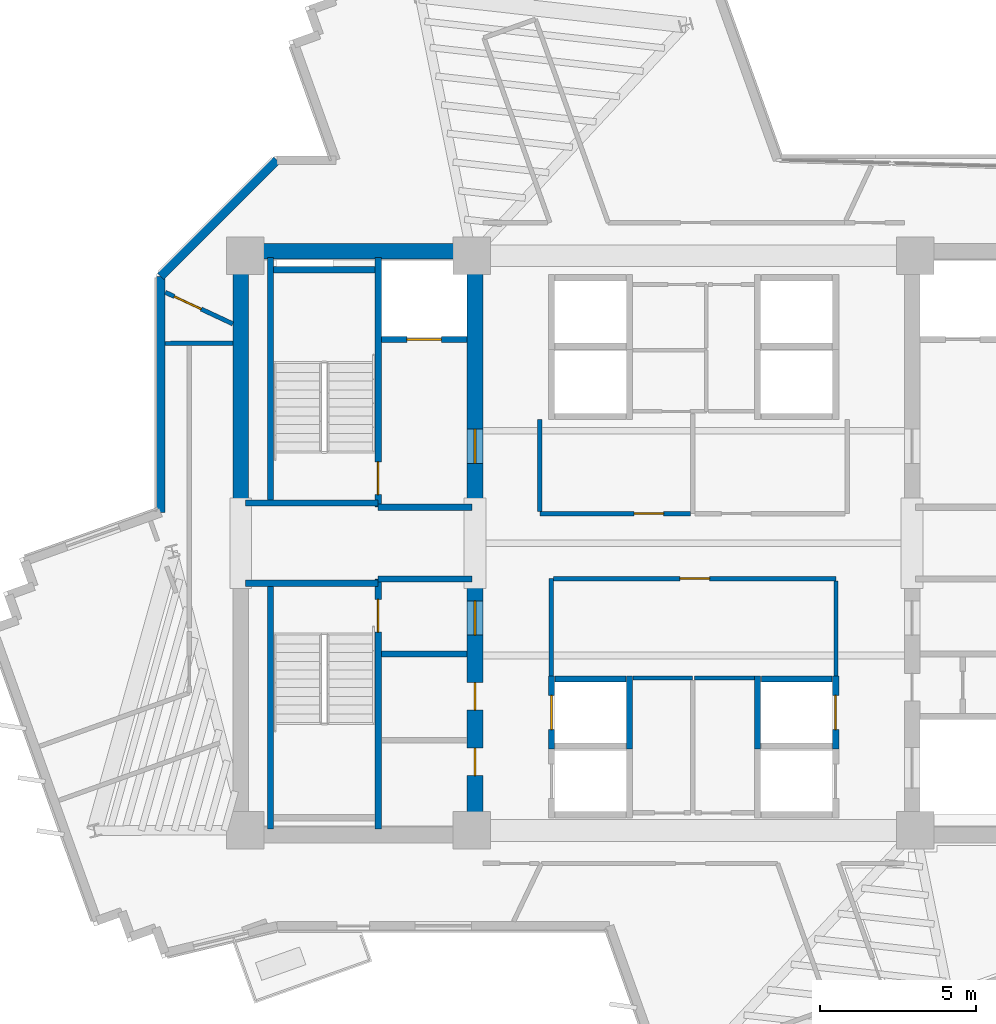
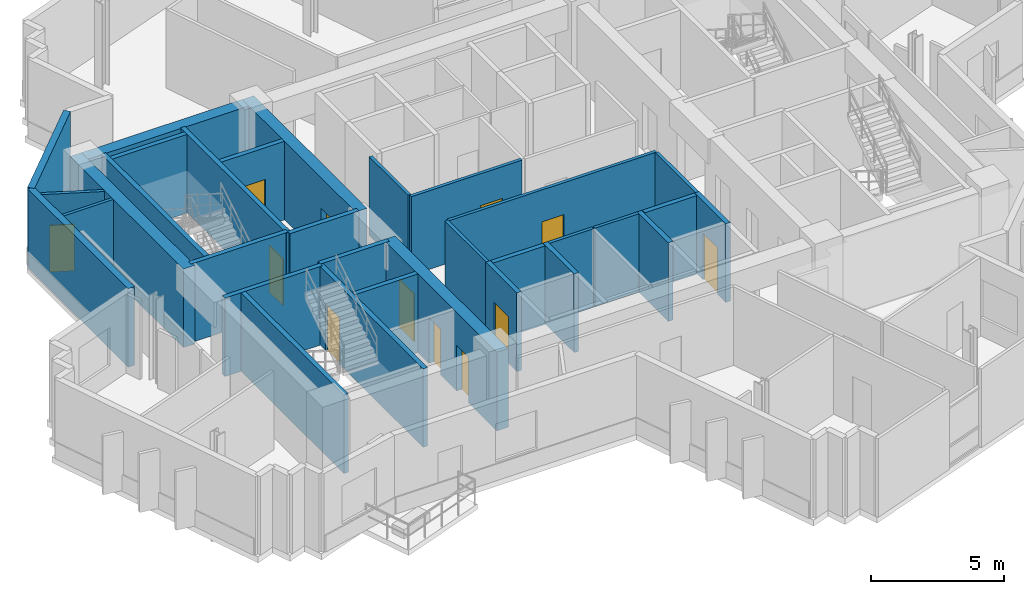
# One storey, part 7 of 13: 32 walls, 12 doors, 12 openings.
"""IFC4 building model written with IfcOpenShell, lengths in metres."""

from ifc_helpers import new_model, si_unit, direction, frame, frame_2d, origin, place, context, subcontext, project, spatial, rectangle, extrude, source, transform, mapped, material, layer, layer_set, type_object, element, fill, save


model = new_model("IFC4")

# Units and contexts
model_context = context("Model", 3, precision=1e-05, world=origin(), true_north=direction((0.0, 1.0)))
body_context = subcontext(model_context, "Body", "Model", "MODEL_VIEW")
ifc_project = project(units=[si_unit("LENGTHUNIT", "METRE"), si_unit("AREAUNIT", "SQUARE_METRE"), si_unit("VOLUMEUNIT", "CUBIC_METRE"), si_unit("PLANEANGLEUNIT", "RADIAN"), si_unit("MASSUNIT", "GRAM", prefix="KILO")], contexts=[model_context])

# Site, building, storey
site_placement = place(None, origin())
site = spatial("IfcSite", under=ifc_project, at=site_placement, CompositionType="ELEMENT")
building_placement = place(site_placement, origin())
building = spatial("IfcBuilding", under=site, at=building_placement, Name="Zahravan Cultural Tower", CompositionType="ELEMENT")
storey_placement = place(building_placement, frame((0.0, 0.0, 221.39990234375)))
storey = spatial("IfcBuildingStorey", under=building, at=storey_placement, Name="L52", CompositionType="ELEMENT", Elevation=221.39990234375)

# Wall, openings, doors
ifc_material_1 = material(Name="Concrete C60/75", Category="concrete")
ifc_layer_1 = layer(ifc_material_1, 0.5)
ifc_layer_set_1 = layer_set([ifc_layer_1], Name="Concrete C60/75")
wall_type_1 = type_object("IfcWallType", Name="CW-SHEAR-500-C60", PredefinedType="SHEAR", material=ifc_layer_set_1)
wall_1_placement = place(storey_placement, frame((29.0, 17.39990234375, 0.0), z_axis=(0.0, 0.0, 1.0), x_axis=(0.0, 1.0, 0.0)))
wall_1 = element("IfcWall", 1, at=wall_1_placement, inside=storey, type_object=wall_type_1, Name="L52 Core Shear Wall CW-W-ES-L52", PredefinedType="SHEAR", context=body_context, shape_type="SweptSolid", body=[
    extrude(rectangle(XDim=8.550048828125, YDim=0.5, at=frame_2d((4.27490234375, 0.0))), origin(), (0.0, 0.0, 1.0), 3.6201171875),
])
opening_1_placement = place(wall_1_placement, frame((6.64990234375, 0.0, 0.0)))
opening_1 = element("IfcOpeningElement", 2, at=opening_1_placement, cuts=wall_1, Name="Opening D-L52-07", PredefinedType="OPENING", context=body_context, shape_type="SweptSolid", body=[
    extrude(rectangle(XDim=1.10009765625, YDim=2.199951171875, at=frame_2d((0.550048828125, 1.10009765625))), frame((0.0, 0.260009765625, 0.0), z_axis=(0.0, -1.0, 0.0), x_axis=(1.0, 0.0, 0.0)), (0.0, 0.0, 1.0), 0.52001953125),
])
opening_2_placement = place(wall_1_placement, frame((2.14990234375, 0.0, 0.0)))
opening_2 = element("IfcOpeningElement", 3, at=opening_2_placement, cuts=wall_1, Name="Opening D-L52-09", PredefinedType="OPENING", context=body_context, shape_type="SweptSolid", body=[
    extrude(rectangle(XDim=0.8798828125, YDim=2.10009765625, at=frame_2d((0.43994140625, 1.050048828125))), frame((0.0, 0.260009765625, 0.0), z_axis=(0.0, -1.0, 0.0), x_axis=(1.0, 0.0, 0.0)), (0.0, 0.0, 1.0), 0.52001953125),
])
opening_3_placement = place(wall_1_placement, frame((4.25, 0.0, 0.0)))
opening_3 = element("IfcOpeningElement", 4, at=opening_3_placement, cuts=wall_1, Name="Opening D-L52-10", PredefinedType="OPENING", context=body_context, shape_type="SweptSolid", body=[
    extrude(rectangle(XDim=0.8798828125, YDim=2.10009765625, at=frame_2d((0.43994140625, 1.050048828125))), frame((0.0, 0.260009765625, 0.0), z_axis=(0.0, -1.0, 0.0), x_axis=(1.0, 0.0, 0.0)), (0.0, 0.0, 1.0), 0.52001953125),
])
ifc_material_2 = material(Name="Steel ASTM A572 Grade 50", Category="steel")
door_type_1 = type_object("IfcDoorType", Name="DR-LOBBY-1100", OperationType="NOTDEFINED", PredefinedType="DOOR", material=ifc_material_2)
shared_shape_1 = source(origin(), body_context, "Body", "SweptSolid", [
    extrude(rectangle(XDim=1.10009765625, YDim=2.199951171875, at=frame_2d((0.550048828125, 1.10009765625))), frame((0.0, 0.02490234375, 0.0), z_axis=(0.0, -1.0, 0.0), x_axis=(1.0, 0.0, 0.0)), (0.0, 0.0, 1.0), 0.050048828125),
])
door_1_placement = place(opening_1_placement, origin())
door_1 = element("IfcDoor", 5, at=door_1_placement, inside=storey, type_object=door_type_1, Name="L52 Door D-L52-07", OperationType="SINGLE_SWING_RIGHT", OverallHeight=2.199951171875, OverallWidth=1.10009765625, PredefinedType="DOOR", context=body_context, shape_type="MappedRepresentation", body=[
    mapped(shared_shape_1, transform((0.0, 0.0, 0.0), x_axis=(1.0, 0.0, 0.0), y_axis=(0.0, 1.0, 0.0), z_axis=(0.0, 0.0, 1.0), scale=1.0)),
])
fill(opening_1, door_1)
door_type_2 = type_object("IfcDoorType", Name="DR-SVC-880", OperationType="NOTDEFINED", PredefinedType="DOOR", material=ifc_material_2)
shared_shape_2 = source(origin(), body_context, "Body", "SweptSolid", [
    extrude(rectangle(XDim=0.8798828125, YDim=2.10009765625, at=frame_2d((0.43994140625, 1.050048828125))), frame((0.0, 0.02490234375, 0.0), z_axis=(0.0, -1.0, 0.0), x_axis=(1.0, 0.0, 0.0)), (0.0, 0.0, 1.0), 0.050048828125),
])
door_2_placement = place(opening_2_placement, origin())
door_2 = element("IfcDoor", 6, at=door_2_placement, inside=storey, type_object=door_type_2, Name="L52 Door D-L52-09", OperationType="SINGLE_SWING_RIGHT", OverallHeight=2.10009765625, OverallWidth=0.8798828125, PredefinedType="DOOR", context=body_context, shape_type="MappedRepresentation", body=[
    mapped(shared_shape_2, transform((0.0, 0.0, 0.0), x_axis=(1.0, 0.0, 0.0), y_axis=(0.0, 1.0, 0.0), z_axis=(0.0, 0.0, 1.0), scale=1.0)),
])
fill(opening_2, door_2)
door_3_placement = place(opening_3_placement, origin())
door_3 = element("IfcDoor", 7, at=door_3_placement, inside=storey, type_object=door_type_2, Name="L52 Door D-L52-10", OperationType="SINGLE_SWING_LEFT", OverallHeight=2.10009765625, OverallWidth=0.8798828125, PredefinedType="DOOR", context=body_context, shape_type="MappedRepresentation", body=[
    mapped(shared_shape_2, transform((0.0, 0.0, 0.0), x_axis=(1.0, 0.0, 0.0), y_axis=(0.0, 1.0, 0.0), z_axis=(0.0, 0.0, 1.0), scale=1.0)),
])
fill(opening_3, door_3)

# Wall, opening, door
wall_2_placement = place(storey_placement, frame((29.0, 28.050048828125, 0.0), z_axis=(0.0, 0.0, 1.0), x_axis=(0.0, 1.0, 0.0)))
wall_2 = element("IfcWall", 8, at=wall_2_placement, inside=storey, type_object=wall_type_1, Name="L52 Core Shear Wall CW-W-EN-L52", PredefinedType="SHEAR", context=body_context, shape_type="SweptSolid", body=[
    extrude(rectangle(XDim=8.550048828125, YDim=0.5, at=frame_2d((4.27490234375, 0.0))), origin(), (0.0, 0.0, 1.0), 3.6201171875),
])
opening_4_placement = place(wall_2_placement, frame((1.5, 0.0, 0.0)))
opening_4 = element("IfcOpeningElement", 9, at=opening_4_placement, cuts=wall_2, Name="Opening D-L52-05", PredefinedType="OPENING", context=body_context, shape_type="SweptSolid", body=[
    extrude(rectangle(XDim=1.10009765625, YDim=2.199951171875, at=frame_2d((0.550048828125, 1.10009765625))), frame((0.0, 0.260009765625, 0.0), z_axis=(0.0, -1.0, 0.0), x_axis=(1.0, 0.0, 0.0)), (0.0, 0.0, 1.0), 0.52001953125),
])
door_4_placement = place(opening_4_placement, origin())
door_4 = element("IfcDoor", 10, at=door_4_placement, inside=storey, type_object=door_type_1, Name="L52 Door D-L52-05", OperationType="SINGLE_SWING_RIGHT", OverallHeight=2.199951171875, OverallWidth=1.10009765625, PredefinedType="DOOR", context=body_context, shape_type="MappedRepresentation", body=[
    mapped(shared_shape_1, transform((0.0, 0.0, 0.0), x_axis=(1.0, 0.0, 0.0), y_axis=(0.0, 1.0, 0.0), z_axis=(0.0, 0.0, 1.0), scale=1.0)),
])
fill(opening_4, door_4)

ifc_material_3 = material(Name="Gypsum plasterboard partition")
ifc_layer_2 = layer(ifc_material_3, 0.139892578125)
ifc_layer_set_2 = layer_set([ifc_layer_2], Name="Gypsum plasterboard partition")
wall_type_2 = type_object("IfcWallType", Name="W-PART-140", PredefinedType="PARTITIONING", material=ifc_layer_set_2)
wall_3_placement = place(storey_placement, frame((19.0849609375, 35.0302734375, 0.0), z_axis=(0.0, 0.0, 1.0), x_axis=(0.905832355445, -0.423636334407, 0.0)))
wall_3 = element("IfcWall", 11, at=wall_3_placement, inside=storey, type_object=wall_type_2, Name="L52 Interior Wall 072", PredefinedType="PARTITIONING", context=body_context, shape_type="SweptSolid", body=[
    extrude(rectangle(XDim=2.384765625, YDim=0.139892578125, at=frame_2d((1.1923828125, 0.0))), origin(), (0.0, 0.0, 1.0), 3.6201171875),
])
opening_5_placement = place(wall_3_placement, frame((0.315673828125, 0.0, 0.0)))
opening_5 = element("IfcOpeningElement", 12, at=opening_5_placement, cuts=wall_3, Name="Opening D-L52-30", PredefinedType="OPENING", context=body_context, shape_type="SweptSolid", body=[
    extrude(rectangle(XDim=0.949951171875, YDim=2.14990234375, at=frame_2d((0.47509765625, 1.074951171875))), frame((0.0, 0.079833984375, 0.0), z_axis=(0.0, -1.0, 0.0), x_axis=(1.0, 0.0, 0.0)), (0.0, 0.0, 1.0), 0.159912109375),
])
ifc_material_4 = material(Name="Anodised bronze-aluminium mullion", Category="aluminium")
door_type_3 = type_object("IfcDoorType", Name="DR-ROOM-950", OperationType="NOTDEFINED", PredefinedType="DOOR", material=ifc_material_4)
shared_shape_3 = source(origin(), body_context, "Body", "SweptSolid", [
    extrude(rectangle(XDim=0.949951171875, YDim=2.14990234375, at=frame_2d((0.47509765625, 1.074951171875))), frame((0.0, 0.02490234375, 0.0), z_axis=(0.0, -1.0, 0.0), x_axis=(1.0, 0.0, 0.0)), (0.0, 0.0, 1.0), 0.050048828125),
])
door_5_placement = place(opening_5_placement, origin())
door_5 = element("IfcDoor", 13, at=door_5_placement, inside=storey, type_object=door_type_3, Name="L52 Door D-L52-30", OperationType="SINGLE_SWING_LEFT", OverallHeight=2.14990234375, OverallWidth=0.949951171875, PredefinedType="DOOR", context=body_context, shape_type="MappedRepresentation", body=[
    mapped(shared_shape_3, transform((0.0, 0.0, 0.0), x_axis=(1.0, 0.0, 0.0), y_axis=(0.0, 1.0, 0.0), z_axis=(0.0, 0.0, 1.0), scale=1.0)),
])
fill(opening_5, door_5)

wall_4_placement = place(storey_placement, frame((35.89501953125, 27.93994140625, 0.0), z_axis=(0.0, 0.0, 1.0), x_axis=(-1.0, 0.0, 0.0)))
wall_4 = element("IfcWall", 14, at=wall_4_placement, inside=storey, type_object=wall_type_2, Name="L52 Interior Wall 079", PredefinedType="PARTITIONING", context=body_context, shape_type="SweptSolid", body=[
    extrude(rectangle(XDim=4.81494140625, YDim=0.139892578125, at=frame_2d((2.407470703125, 0.0))), origin(), (0.0, 0.0, 1.0), 3.6201171875),
])
opening_6_placement = place(wall_4_placement, frame((0.850341796875, 0.0, 0.0)))
opening_6 = element("IfcOpeningElement", 15, at=opening_6_placement, cuts=wall_4, Name="Opening D-L52-16", PredefinedType="OPENING", context=body_context, shape_type="SweptSolid", body=[
    extrude(rectangle(XDim=0.949951171875, YDim=2.14990234375, at=frame_2d((0.47509765625, 1.074951171875))), frame((0.0, 0.079833984375, 0.0), z_axis=(0.0, -1.0, 0.0), x_axis=(1.0, 0.0, 0.0)), (0.0, 0.0, 1.0), 0.159912109375),
])
door_6_placement = place(opening_6_placement, origin())
door_6 = element("IfcDoor", 16, at=door_6_placement, inside=storey, type_object=door_type_3, Name="L52 Door D-L52-16", OperationType="SINGLE_SWING_LEFT", OverallHeight=2.14990234375, OverallWidth=0.949951171875, PredefinedType="DOOR", context=body_context, shape_type="MappedRepresentation", body=[
    mapped(shared_shape_3, transform((0.0, 0.0, 0.0), x_axis=(1.0, 0.0, 0.0), y_axis=(0.0, 1.0, 0.0), z_axis=(0.0, 0.0, 1.0), scale=1.0)),
])
fill(opening_6, door_6)

wall_5_placement = place(storey_placement, frame((31.514892578125, 25.860107421875, 0.0), z_axis=(0.0, 0.0, 1.0), x_axis=(1.0, 0.0, 0.0)))
wall_5 = element("IfcWall", 17, at=wall_5_placement, inside=storey, type_object=wall_type_2, Name="L52 Interior Wall 087", PredefinedType="PARTITIONING", context=body_context, shape_type="SweptSolid", body=[
    extrude(rectangle(XDim=9.045166015625, YDim=0.139892578125, at=frame_2d((4.5224609375, 0.0))), origin(), (0.0, 0.0, 1.0), 3.6201171875),
])
opening_7_placement = place(wall_5_placement, frame((4.047607421875, 0.0, 0.0)))
opening_7 = element("IfcOpeningElement", 18, at=opening_7_placement, cuts=wall_5, Name="Opening D-L52-13", PredefinedType="OPENING", context=body_context, shape_type="SweptSolid", body=[
    extrude(rectangle(XDim=0.949951171875, YDim=2.14990234375, at=frame_2d((0.47509765625, 1.074951171875))), frame((0.0, 0.079833984375, 0.0), z_axis=(0.0, -1.0, 0.0), x_axis=(1.0, 0.0, 0.0)), (0.0, 0.0, 1.0), 0.159912109375),
])
door_7_placement = place(opening_7_placement, origin())
door_7 = element("IfcDoor", 19, at=door_7_placement, inside=storey, type_object=door_type_3, Name="L52 Door D-L52-13", OperationType="SINGLE_SWING_RIGHT", OverallHeight=2.14990234375, OverallWidth=0.949951171875, PredefinedType="DOOR", context=body_context, shape_type="MappedRepresentation", body=[
    mapped(shared_shape_3, transform((0.0, 0.0, 0.0), x_axis=(1.0, 0.0, 0.0), y_axis=(0.0, 1.0, 0.0), z_axis=(0.0, 0.0, 1.0), scale=1.0)),
])
fill(opening_7, door_7)

ifc_material_5 = material(Name="Concrete C45/55", Category="concrete")
ifc_layer_3 = layer(ifc_material_5, 0.199951171875)
ifc_layer_set_3 = layer_set([ifc_layer_3], Name="Concrete C45/55")
wall_type_3 = type_object("IfcWallType", Name="W-SHAFT-200", PredefinedType="SOLIDWALL", material=ifc_layer_set_3)
wall_6_placement = place(storey_placement, frame((25.89990234375, 17.85009765625, 0.0), z_axis=(0.0, 0.0, 1.0), x_axis=(0.0, 1.0, 0.0)))
wall_6 = element("IfcWall", 20, at=wall_6_placement, inside=storey, type_object=wall_type_3, Name="L52 Interior Wall 005", PredefinedType="SOLIDWALL", context=body_context, shape_type="SweptSolid", body=[
    extrude(rectangle(XDim=8.0, YDim=0.199951171875, at=frame_2d((4.0, 0.0))), origin(), (0.0, 0.0, 1.0), 3.6201171875),
])
opening_8_placement = place(wall_6_placement, frame((6.300048828125, 0.0, 0.0)))
opening_8 = element("IfcOpeningElement", 21, at=opening_8_placement, cuts=wall_6, Name="Opening D-L52-04", PredefinedType="OPENING", context=body_context, shape_type="SweptSolid", body=[
    extrude(rectangle(XDim=1.050048828125, YDim=2.14990234375, at=frame_2d((0.52490234375, 1.074951171875))), frame((0.0, 0.10986328125, 0.0), z_axis=(0.0, -1.0, 0.0), x_axis=(1.0, 0.0, 0.0)), (0.0, 0.0, 1.0), 0.219970703125),
])
door_type_4 = type_object("IfcDoorType", Name="DR-STAIR-1050", OperationType="NOTDEFINED", PredefinedType="DOOR", material=ifc_material_2)
shared_shape_4 = source(origin(), body_context, "Body", "SweptSolid", [
    extrude(rectangle(XDim=1.050048828125, YDim=2.14990234375, at=frame_2d((0.52490234375, 1.074951171875))), frame((0.0, 0.02490234375, 0.0), z_axis=(0.0, -1.0, 0.0), x_axis=(1.0, 0.0, 0.0)), (0.0, 0.0, 1.0), 0.050048828125),
])
door_8_placement = place(opening_8_placement, origin())
door_8 = element("IfcDoor", 22, at=door_8_placement, inside=storey, type_object=door_type_4, Name="L52 Door D-L52-04", OperationType="SINGLE_SWING_LEFT", OverallHeight=2.14990234375, OverallWidth=1.050048828125, PredefinedType="DOOR", context=body_context, shape_type="MappedRepresentation", body=[
    mapped(shared_shape_4, transform((0.0, 0.0, 0.0), x_axis=(1.0, 0.0, 0.0), y_axis=(0.0, 1.0, 0.0), z_axis=(0.0, 0.0, 1.0), scale=1.0)),
])
fill(opening_8, door_8)

wall_7_placement = place(storey_placement, frame((25.89990234375, 28.14990234375, 0.0), z_axis=(0.0, 0.0, 1.0), x_axis=(0.0, 1.0, 0.0)))
wall_7 = element("IfcWall", 23, at=wall_7_placement, inside=storey, type_object=wall_type_3, Name="L52 Interior Wall 006", PredefinedType="SOLIDWALL", context=body_context, shape_type="SweptSolid", body=[
    extrude(rectangle(XDim=8.0, YDim=0.199951171875, at=frame_2d((4.0, 0.0))), origin(), (0.0, 0.0, 1.0), 3.6201171875),
])
opening_9_placement = place(wall_7_placement, frame((0.39990234375, 0.0, 0.0)))
opening_9 = element("IfcOpeningElement", 24, at=opening_9_placement, cuts=wall_7, Name="Opening D-L52-01", PredefinedType="OPENING", context=body_context, shape_type="SweptSolid", body=[
    extrude(rectangle(XDim=1.050048828125, YDim=2.14990234375, at=frame_2d((0.52490234375, 1.074951171875))), frame((0.0, 0.10986328125, 0.0), z_axis=(0.0, -1.0, 0.0), x_axis=(1.0, 0.0, 0.0)), (0.0, 0.0, 1.0), 0.219970703125),
])
door_9_placement = place(opening_9_placement, origin())
door_9 = element("IfcDoor", 25, at=door_9_placement, inside=storey, type_object=door_type_4, Name="L52 Door D-L52-01", OperationType="SINGLE_SWING_RIGHT", OverallHeight=2.14990234375, OverallWidth=1.050048828125, PredefinedType="DOOR", context=body_context, shape_type="MappedRepresentation", body=[
    mapped(shared_shape_4, transform((0.0, 0.0, 0.0), x_axis=(1.0, 0.0, 0.0), y_axis=(0.0, 1.0, 0.0), z_axis=(0.0, 0.0, 1.0), scale=1.0)),
])
fill(opening_9, door_9)

wall_8_placement = place(storey_placement, frame((26.0, 33.52001953125, 0.0), z_axis=(0.0, 0.0, 1.0), x_axis=(1.0, 0.0, 0.0)))
wall_8 = element("IfcWall", 26, at=wall_8_placement, inside=storey, type_object=wall_type_3, Name="L52 Interior Wall 021", PredefinedType="SOLIDWALL", context=body_context, shape_type="SweptSolid", body=[
    extrude(rectangle(XDim=2.75, YDim=0.199951171875, at=frame_2d((1.375, 0.0))), origin(), (0.0, 0.0, 1.0), 3.6201171875),
])
opening_10_placement = place(wall_8_placement, frame((0.820068359375, 0.0, 0.0)))
opening_10 = element("IfcOpeningElement", 27, at=opening_10_placement, cuts=wall_8, Name="Opening LD-L52-01", PredefinedType="OPENING", context=body_context, shape_type="SweptSolid", body=[
    extrude(rectangle(XDim=1.10009765625, YDim=2.14990234375, at=frame_2d((0.550048828125, 1.074951171875))), frame((0.0, 0.10986328125, 0.0), z_axis=(0.0, -1.0, 0.0), x_axis=(1.0, 0.0, 0.0)), (0.0, 0.0, 1.0), 0.219970703125),
])
door_type_5 = type_object("IfcDoorType", Name="DR-LIFT-1100", OperationType="DOUBLE_DOOR_SLIDING", PredefinedType="DOOR", material=ifc_material_2)
shared_shape_5 = source(origin(), body_context, "Body", "SweptSolid", [
    extrude(rectangle(XDim=1.10009765625, YDim=2.14990234375, at=frame_2d((0.550048828125, 1.074951171875))), frame((0.0, 0.02490234375, 0.0), z_axis=(0.0, -1.0, 0.0), x_axis=(1.0, 0.0, 0.0)), (0.0, 0.0, 1.0), 0.050048828125),
])
door_10_placement = place(opening_10_placement, origin())
door_10 = element("IfcDoor", 28, at=door_10_placement, inside=storey, type_object=door_type_5, Name="L52 Door LD-L52-01", OperationType="DOUBLE_DOOR_SLIDING", OverallHeight=2.14990234375, OverallWidth=1.10009765625, PredefinedType="DOOR", context=body_context, shape_type="MappedRepresentation", body=[
    mapped(shared_shape_5, transform((0.0, 0.0, 0.0), x_axis=(1.0, 0.0, 0.0), y_axis=(0.0, 1.0, 0.0), z_axis=(0.0, 0.0, 1.0), scale=1.0)),
])
fill(opening_10, door_10)

wall_9_placement = place(storey_placement, frame((31.449951171875, 20.39990234375, 0.0), z_axis=(0.0, 0.0, 1.0), x_axis=(0.0, 1.0, 0.0)))
wall_9 = element("IfcWall", 29, at=wall_9_placement, inside=storey, type_object=wall_type_3, Name="L52 Interior Wall 042", PredefinedType="SOLIDWALL", context=body_context, shape_type="SweptSolid", body=[
    extrude(rectangle(XDim=2.35009765625, YDim=0.199951171875, at=frame_2d((1.175048828125, 0.0))), origin(), (0.0, 0.0, 1.0), 3.6201171875),
])
opening_11_placement = place(wall_9_placement, frame((0.625, 0.0, 0.0)))
opening_11 = element("IfcOpeningElement", 30, at=opening_11_placement, cuts=wall_9, Name="Opening LD-L52-04", PredefinedType="OPENING", context=body_context, shape_type="SweptSolid", body=[
    extrude(rectangle(XDim=1.10009765625, YDim=2.14990234375, at=frame_2d((0.550048828125, 1.074951171875))), frame((0.0, 0.10986328125, 0.0), z_axis=(0.0, -1.0, 0.0), x_axis=(1.0, 0.0, 0.0)), (0.0, 0.0, 1.0), 0.219970703125),
])
door_11_placement = place(opening_11_placement, origin())
door_11 = element("IfcDoor", 31, at=door_11_placement, inside=storey, type_object=door_type_5, Name="L52 Door LD-L52-04", OperationType="DOUBLE_DOOR_SLIDING", OverallHeight=2.14990234375, OverallWidth=1.10009765625, PredefinedType="DOOR", context=body_context, shape_type="MappedRepresentation", body=[
    mapped(shared_shape_5, transform((0.0, 0.0, 0.0), x_axis=(1.0, 0.0, 0.0), y_axis=(0.0, 1.0, 0.0), z_axis=(0.0, 0.0, 1.0), scale=1.0)),
])
fill(opening_11, door_11)

wall_10_placement = place(storey_placement, frame((40.550048828125, 20.39990234375, 0.0), z_axis=(0.0, 0.0, 1.0), x_axis=(0.0, 1.0, 0.0)))
wall_10 = element("IfcWall", 32, at=wall_10_placement, inside=storey, type_object=wall_type_3, Name="L52 Interior Wall 050", PredefinedType="SOLIDWALL", context=body_context, shape_type="SweptSolid", body=[
    extrude(rectangle(XDim=2.35009765625, YDim=0.199951171875, at=frame_2d((1.175048828125, 0.0))), origin(), (0.0, 0.0, 1.0), 3.6201171875),
])
opening_12_placement = place(wall_10_placement, frame((0.625, 0.0, 0.0)))
opening_12 = element("IfcOpeningElement", 33, at=opening_12_placement, cuts=wall_10, Name="Opening LD-L52-06", PredefinedType="OPENING", context=body_context, shape_type="SweptSolid", body=[
    extrude(rectangle(XDim=1.10009765625, YDim=2.14990234375, at=frame_2d((0.550048828125, 1.074951171875))), frame((0.0, 0.10986328125, 0.0), z_axis=(0.0, -1.0, 0.0), x_axis=(1.0, 0.0, 0.0)), (0.0, 0.0, 1.0), 0.219970703125),
])
door_12_placement = place(opening_12_placement, origin())
door_12 = element("IfcDoor", 34, at=door_12_placement, inside=storey, type_object=door_type_5, Name="L52 Door LD-L52-06", OperationType="DOUBLE_DOOR_SLIDING", OverallHeight=2.14990234375, OverallWidth=1.10009765625, PredefinedType="DOOR", context=body_context, shape_type="MappedRepresentation", body=[
    mapped(shared_shape_5, transform((0.0, 0.0, 0.0), x_axis=(1.0, 0.0, 0.0), y_axis=(0.0, 1.0, 0.0), z_axis=(0.0, 0.0, 1.0), scale=1.0)),
])
fill(opening_12, door_12)

# Walls
shared_shape_6 = source(origin(), body_context, "Body", "SweptSolid", [
    extrude(rectangle(XDim=8.550048828125, YDim=0.5, at=frame_2d((4.27490234375, 0.0))), origin(), (0.0, 0.0, 1.0), 3.6201171875),
])
wall_11_placement = place(storey_placement, frame((21.5, 28.050048828125, 0.0), z_axis=(0.0, 0.0, 1.0), x_axis=(0.0, 1.0, 0.0)))
element("IfcWall", 35, at=wall_11_placement, inside=storey, type_object=wall_type_1, Name="L52 Core Shear Wall CW-W-WN-L52", PredefinedType="SHEAR", context=body_context, shape_type="MappedRepresentation", body=[
    mapped(shared_shape_6, transform((0.0, 0.0, 0.0), x_axis=(1.0, 0.0, 0.0), y_axis=(0.0, 1.0, 0.0), z_axis=(0.0, 0.0, 1.0), scale=1.0)),
])
shared_shape_7 = source(origin(), body_context, "Body", "SweptSolid", [
    extrude(rectangle(XDim=7.0, YDim=0.5, at=frame_2d((3.5, 0.0))), origin(), (0.0, 0.0, 1.0), 3.6201171875),
])
wall_12_placement = place(storey_placement, frame((21.75, 36.35009765625, 0.0), z_axis=(0.0, 0.0, 1.0), x_axis=(1.0, 0.0, 0.0)))
element("IfcWall", 36, at=wall_12_placement, inside=storey, type_object=wall_type_1, Name="L52 Core Shear Wall CW-W-N-L52", PredefinedType="SHEAR", context=body_context, shape_type="MappedRepresentation", body=[
    mapped(shared_shape_7, transform((0.0, 0.0, 0.0), x_axis=(1.0, 0.0, 0.0), y_axis=(0.0, 1.0, 0.0), z_axis=(0.0, 0.0, 1.0), scale=1.0)),
])
ifc_material_6 = material(Name="Precast concrete C40/50", Category="concrete")
ifc_layer_4 = layer(ifc_material_6, 0.280029296875)
ifc_layer_set_4 = layer_set([ifc_layer_4], Name="Precast concrete C40/50")
wall_type_4 = type_object("IfcWallType", Name="EW-TC-280", PredefinedType="SOLIDWALL", material=ifc_layer_set_4)
shared_shape_8 = source(origin(), body_context, "Body", "SweptSolid", [
    extrude(rectangle(XDim=5.258056640625, YDim=0.280029296875, at=frame_2d((2.62890625, 0.0))), origin(), (0.0, 0.0, 1.0), 3.6201171875),
])
wall_13_placement = place(storey_placement, frame((18.93994140625, 35.5419921875, 0.0), z_axis=(0.0, 0.0, 1.0), x_axis=(0.707106781187, 0.707106781187, 0.0)))
element("IfcWall", 37, at=wall_13_placement, inside=storey, type_object=wall_type_4, Name="L52 Exterior Masonry Frame Wall 38", PredefinedType="SOLIDWALL", context=body_context, shape_type="MappedRepresentation", body=[
    mapped(shared_shape_8, transform((0.0, 0.0, 0.0), x_axis=(1.0, 0.0, 0.0), y_axis=(0.0, 1.0, 0.0), z_axis=(0.0, 0.0, 1.0), scale=1.0)),
])
shared_shape_9 = source(origin(), body_context, "Body", "SweptSolid", [
    extrude(rectangle(XDim=7.566650390625, YDim=0.280029296875, at=frame_2d((3.783203125, 0.0))), origin(), (0.0, 0.0, 1.0), 3.6201171875),
])
wall_14_placement = place(storey_placement, frame((18.93994140625, 27.975341796875, 0.0), z_axis=(0.0, 0.0, 1.0), x_axis=(0.0, 1.0, 0.0)))
element("IfcWall", 38, at=wall_14_placement, inside=storey, type_object=wall_type_4, Name="L52 Exterior Masonry Frame Wall 37", PredefinedType="SOLIDWALL", context=body_context, shape_type="MappedRepresentation", body=[
    mapped(shared_shape_9, transform((0.0, 0.0, 0.0), x_axis=(1.0, 0.0, 0.0), y_axis=(0.0, 1.0, 0.0), z_axis=(0.0, 0.0, 1.0), scale=1.0)),
])
shared_shape_10 = source(origin(), body_context, "Body", "SweptSolid", [
    extrude(rectangle(XDim=7.869873046875, YDim=0.199951171875, at=frame_2d((3.93505859375, 0.0))), origin(), (0.0, 0.0, 1.0), 3.6201171875),
])
for number, where, z_axis, x_axis, name in (
    (39, (22.449951171875, 17.85009765625, 0.0), (0.0, 0.0, 1.0), (0.0, 1.0, 0.0), "L52 Interior Wall 001"),
    (40, (22.449951171875, 28.280029296875, 0.0), (0.0, 0.0, 1.0), (0.0, 1.0, 0.0), "L52 Interior Wall 002"),
):
    element("IfcWall", number, at=place(storey_placement, frame(where, z_axis=z_axis, x_axis=x_axis)), inside=storey, type_object=wall_type_3, Name=name, PredefinedType="SOLIDWALL", context=body_context, shape_type="MappedRepresentation", body=[
        mapped(shared_shape_10, transform((0.0, 0.0, 0.0), x_axis=(1.0, 0.0, 0.0), y_axis=(0.0, 1.0, 0.0), z_axis=(0.0, 0.0, 1.0), scale=1.0)),
    ])
shared_shape_11 = source(origin(), body_context, "Body", "SweptSolid", [
    extrude(rectangle(XDim=4.25, YDim=0.199951171875, at=frame_2d((2.125, 0.0))), origin(), (0.0, 0.0, 1.0), 3.6201171875),
])
for number, where, z_axis, x_axis, name in (
    (41, (21.64990234375, 25.715087890625, 0.0), (0.0, 0.0, 1.0), (1.0, 0.0, 0.0), "L52 Interior Wall 009"),
    (42, (21.64990234375, 28.284912109375, 0.0), (0.0, 0.0, 1.0), (1.0, 0.0, 0.0), "L52 Interior Wall 011"),
):
    element("IfcWall", number, at=place(storey_placement, frame(where, z_axis=z_axis, x_axis=x_axis)), inside=storey, type_object=wall_type_3, Name=name, PredefinedType="SOLIDWALL", context=body_context, shape_type="MappedRepresentation", body=[
        mapped(shared_shape_11, transform((0.0, 0.0, 0.0), x_axis=(1.0, 0.0, 0.0), y_axis=(0.0, 1.0, 0.0), z_axis=(0.0, 0.0, 1.0), scale=1.0)),
    ])
shared_shape_12 = source(origin(), body_context, "Body", "SweptSolid", [
    extrude(rectangle(XDim=3.0, YDim=0.199951171875, at=frame_2d((1.5, 0.0))), origin(), (0.0, 0.0, 1.0), 3.6201171875),
])
for number, where, z_axis, x_axis, name in (
    (43, (25.89990234375, 25.85009765625, 0.0), (0.0, 0.0, 1.0), (1.0, 0.0, 0.0), "L52 Interior Wall 010"),
    (44, (25.89990234375, 28.14990234375, 0.0), (0.0, 0.0, 1.0), (1.0, 0.0, 0.0), "L52 Interior Wall 012"),
):
    element("IfcWall", number, at=place(storey_placement, frame(where, z_axis=z_axis, x_axis=x_axis)), inside=storey, type_object=wall_type_3, Name=name, PredefinedType="SOLIDWALL", context=body_context, shape_type="MappedRepresentation", body=[
        mapped(shared_shape_12, transform((0.0, 0.0, 0.0), x_axis=(1.0, 0.0, 0.0), y_axis=(0.0, 1.0, 0.0), z_axis=(0.0, 0.0, 1.0), scale=1.0)),
    ])
shared_shape_13 = source(origin(), body_context, "Body", "SweptSolid", [
    extrude(rectangle(XDim=3.25, YDim=0.199951171875, at=frame_2d((1.625, 0.0))), origin(), (0.0, 0.0, 1.0), 3.6201171875),
])
wall_15_placement = place(storey_placement, frame((22.550048828125, 35.75, 0.0), z_axis=(0.0, 0.0, 1.0), x_axis=(1.0, 0.0, 0.0)))
element("IfcWall", 45, at=wall_15_placement, inside=storey, type_object=wall_type_3, Name="L52 Interior Wall 017", PredefinedType="SOLIDWALL", context=body_context, shape_type="MappedRepresentation", body=[
    mapped(shared_shape_13, transform((0.0, 0.0, 0.0), x_axis=(1.0, 0.0, 0.0), y_axis=(0.0, 1.0, 0.0), z_axis=(0.0, 0.0, 1.0), scale=1.0)),
])
shared_shape_14 = source(origin(), body_context, "Body", "SweptSolid", [
    extrude(rectangle(XDim=2.75, YDim=0.199951171875, at=frame_2d((1.375, 0.0))), origin(), (0.0, 0.0, 1.0), 3.6201171875),
])
wall_16_placement = place(storey_placement, frame((26.0, 23.449951171875, 0.0), z_axis=(0.0, 0.0, 1.0), x_axis=(1.0, 0.0, 0.0)))
element("IfcWall", 46, at=wall_16_placement, inside=storey, type_object=wall_type_3, Name="L52 Interior Wall 023", PredefinedType="SOLIDWALL", context=body_context, shape_type="MappedRepresentation", body=[
    mapped(shared_shape_14, transform((0.0, 0.0, 0.0), x_axis=(1.0, 0.0, 0.0), y_axis=(0.0, 1.0, 0.0), z_axis=(0.0, 0.0, 1.0), scale=1.0)),
])
shared_shape_15 = source(origin(), body_context, "Body", "SweptSolid", [
    extrude(rectangle(XDim=2.260009765625, YDim=0.199951171875, at=frame_2d((1.1298828125, 0.0))), origin(), (0.0, 0.0, 1.0), 3.6201171875),
])
for number, where, z_axis, x_axis, name in (
    (47, (31.570068359375, 22.64990234375, 0.0), (0.0, 0.0, 1.0), (1.0, 0.0, 0.0), "L52 Interior Wall 045"),
    (48, (38.169921875, 22.64990234375, 0.0), (0.0, 0.0, 1.0), (1.0, 0.0, 0.0), "L52 Interior Wall 052"),
):
    element("IfcWall", number, at=place(storey_placement, frame(where, z_axis=z_axis, x_axis=x_axis)), inside=storey, type_object=wall_type_3, Name=name, PredefinedType="SOLIDWALL", context=body_context, shape_type="MappedRepresentation", body=[
        mapped(shared_shape_15, transform((0.0, 0.0, 0.0), x_axis=(1.0, 0.0, 0.0), y_axis=(0.0, 1.0, 0.0), z_axis=(0.0, 0.0, 1.0), scale=1.0)),
    ])
shared_shape_16 = source(origin(), body_context, "Body", "SweptSolid", [
    extrude(rectangle(XDim=2.35009765625, YDim=0.199951171875, at=frame_2d((1.175048828125, 0.0))), origin(), (0.0, 0.0, 1.0), 3.6201171875),
])
for number, where, z_axis, x_axis, name in (
    (49, (33.949951171875, 20.39990234375, 0.0), (0.0, 0.0, 1.0), (0.0, 1.0, 0.0), "L52 Interior Wall 043"),
    (50, (38.050048828125, 20.39990234375, 0.0), (0.0, 0.0, 1.0), (0.0, 1.0, 0.0), "L52 Interior Wall 049"),
):
    element("IfcWall", number, at=place(storey_placement, frame(where, z_axis=z_axis, x_axis=x_axis)), inside=storey, type_object=wall_type_3, Name=name, PredefinedType="SOLIDWALL", context=body_context, shape_type="MappedRepresentation", body=[
        mapped(shared_shape_16, transform((0.0, 0.0, 0.0), x_axis=(1.0, 0.0, 0.0), y_axis=(0.0, 1.0, 0.0), z_axis=(0.0, 0.0, 1.0), scale=1.0)),
    ])
shared_shape_17 = source(origin(), body_context, "Body", "SweptSolid", [
    extrude(rectangle(XDim=3.110107421875, YDim=0.139892578125, at=frame_2d((1.55517578125, 0.0))), origin(), (0.0, 0.0, 1.0), 3.6201171875),
])
wall_17_placement = place(storey_placement, frame((31.43994140625, 22.75, 0.0), z_axis=(0.0, 0.0, 1.0), x_axis=(0.0, 1.0, 0.0)))
element("IfcWall", 51, at=wall_17_placement, inside=storey, type_object=wall_type_2, Name="L52 Interior Wall 086", PredefinedType="PARTITIONING", context=body_context, shape_type="MappedRepresentation", body=[
    mapped(shared_shape_17, transform((0.0, 0.0, 0.0), x_axis=(1.0, 0.0, 0.0), y_axis=(0.0, 1.0, 0.0), z_axis=(0.0, 0.0, 1.0), scale=1.0)),
])
shared_shape_18 = source(origin(), body_context, "Body", "SweptSolid", [
    extrude(rectangle(XDim=3.034912109375, YDim=0.139892578125, at=frame_2d((1.517578125, 0.0))), origin(), (0.0, 0.0, 1.0), 3.6201171875),
])
wall_18_placement = place(storey_placement, frame((40.56005859375, 25.784912109375, 0.0), z_axis=(0.0, 0.0, 1.0), x_axis=(0.0, -1.0, 0.0)))
element("IfcWall", 52, at=wall_18_placement, inside=storey, type_object=wall_type_2, Name="L52 Interior Wall 088", PredefinedType="PARTITIONING", context=body_context, shape_type="MappedRepresentation", body=[
    mapped(shared_shape_18, transform((0.0, 0.0, 0.0), x_axis=(1.0, 0.0, 0.0), y_axis=(0.0, 1.0, 0.0), z_axis=(0.0, 0.0, 1.0), scale=1.0)),
])
shared_shape_19 = source(origin(), body_context, "Body", "SweptSolid", [
    extrude(rectangle(XDim=2.93505859375, YDim=0.139892578125, at=frame_2d((1.467529296875, 0.0))), origin(), (0.0, 0.0, 1.0), 3.6201171875),
])
wall_19_placement = place(storey_placement, frame((31.080078125, 28.014892578125, 0.0), z_axis=(0.0, 0.0, 1.0), x_axis=(0.0, 1.0, 0.0)))
element("IfcWall", 53, at=wall_19_placement, inside=storey, type_object=wall_type_2, Name="L52 Interior Wall 080", PredefinedType="PARTITIONING", context=body_context, shape_type="MappedRepresentation", body=[
    mapped(shared_shape_19, transform((0.0, 0.0, 0.0), x_axis=(1.0, 0.0, 0.0), y_axis=(0.0, 1.0, 0.0), z_axis=(0.0, 0.0, 1.0), scale=1.0)),
])
shared_shape_20 = source(origin(), body_context, "Body", "SweptSolid", [
    extrude(rectangle(XDim=1.9150390625, YDim=0.139892578125, at=frame_2d((0.95751953125, 0.0))), origin(), (0.0, 0.0, 1.0), 3.6201171875),
])
for number, where, z_axis, x_axis, name in (
    (54, (34.054931640625, 22.679931640625, 0.0), (0.0, 0.0, 1.0), (1.0, 0.0, 0.0), "L52 Interior Wall 063"),
    (55, (36.030029296875, 22.679931640625, 0.0), (0.0, 0.0, 1.0), (1.0, 0.0, 0.0), "L52 Interior Wall 066"),
):
    element("IfcWall", number, at=place(storey_placement, frame(where, z_axis=z_axis, x_axis=x_axis)), inside=storey, type_object=wall_type_2, Name=name, PredefinedType="PARTITIONING", context=body_context, shape_type="MappedRepresentation", body=[
        mapped(shared_shape_20, transform((0.0, 0.0, 0.0), x_axis=(1.0, 0.0, 0.0), y_axis=(0.0, 1.0, 0.0), z_axis=(0.0, 0.0, 1.0), scale=1.0)),
    ])
shared_shape_21 = source(origin(), body_context, "Body", "SweptSolid", [
    extrude(rectangle(XDim=2.1650390625, YDim=0.139892578125, at=frame_2d((1.08251953125, 0.0))), origin(), (0.0, 0.0, 1.0), 3.6201171875),
])
wall_20_placement = place(storey_placement, frame((21.2451171875, 33.39990234375, 0.0), z_axis=(0.0, 0.0, 1.0), x_axis=(-0.999994277874, -0.003382930575, 0.0)))
element("IfcWall", 56, at=wall_20_placement, inside=storey, type_object=wall_type_2, Name="L52 Interior Wall 068", PredefinedType="PARTITIONING", context=body_context, shape_type="MappedRepresentation", body=[
    mapped(shared_shape_21, transform((0.0, 0.0, 0.0), x_axis=(1.0, 0.0, 0.0), y_axis=(0.0, 1.0, 0.0), z_axis=(0.0, 0.0, 1.0), scale=1.0)),
])

save(model, "model.ifc")
